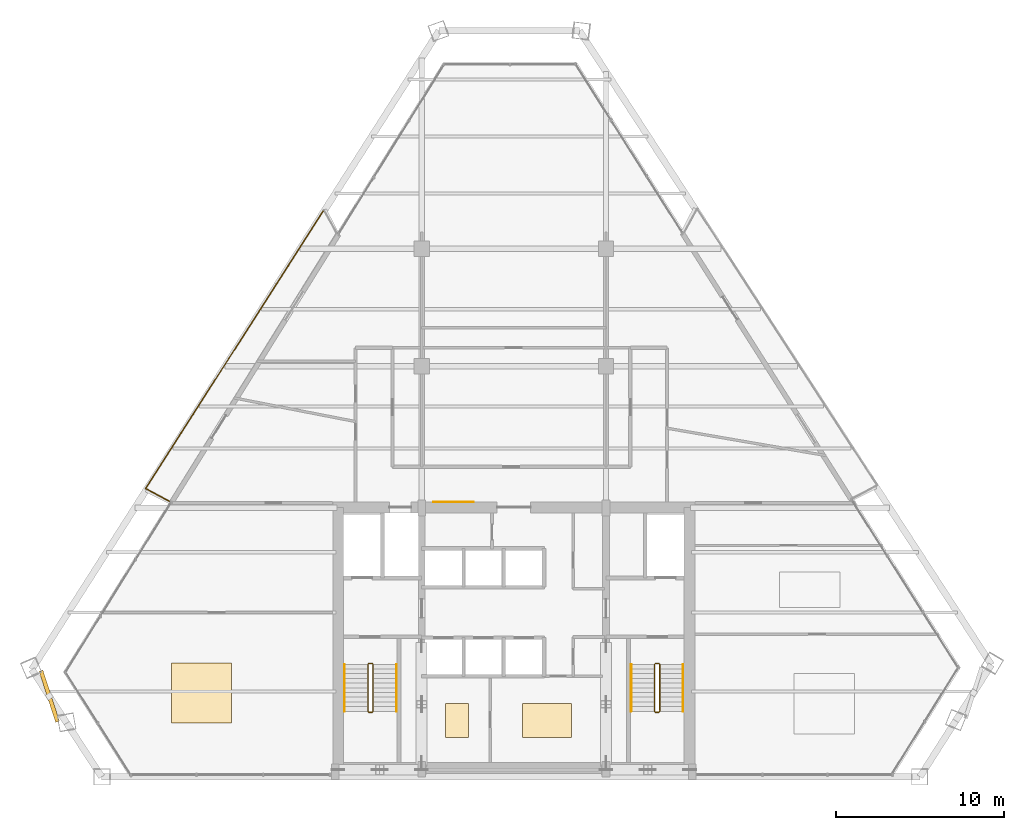
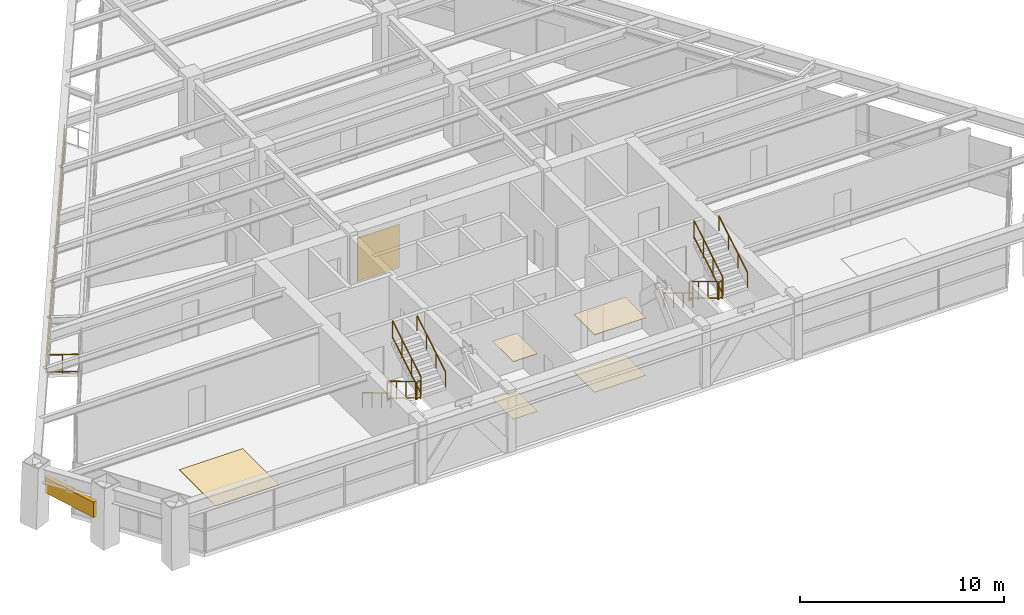
# One storey, part 14 of 15: 14 railings, 6 coverings, 1 shading device.
"""IFC4 building model written with IfcOpenShell, lengths in metres."""

from ifc_helpers import new_model, si_unit, direction, frame, origin, origin_2d, place, context, subcontext, project, spatial, rectangle, extrude, source, transform, mapped, material, layer, layer_set, type_object, type_shapes, element, save


model = new_model("IFC4")

# Units and contexts
model_context = context("Model", 3, precision=1e-05, world=origin(), true_north=direction((0.0, 1.0)))
body_context = subcontext(model_context, "Body", "Model", "MODEL_VIEW")
ifc_project = project(units=[si_unit("LENGTHUNIT", "METRE"), si_unit("AREAUNIT", "SQUARE_METRE"), si_unit("VOLUMEUNIT", "CUBIC_METRE"), si_unit("PLANEANGLEUNIT", "RADIAN"), si_unit("MASSUNIT", "GRAM", prefix="KILO")], contexts=[model_context])

# Site, building, storey
site_placement = place(None, origin())
site = spatial("IfcSite", under=ifc_project, at=site_placement, CompositionType="ELEMENT")
building_placement = place(site_placement, origin())
building = spatial("IfcBuilding", under=site, at=building_placement, Name="Varnakhor Terracotta Tower", CompositionType="ELEMENT")
storey_placement = place(building_placement, frame((0.0, 0.0, 182.10009765625)))
storey = spatial("IfcBuildingStorey", under=building, at=storey_placement, Name="L46", CompositionType="ELEMENT", Elevation=182.10009765625)

# Railings
ifc_material_1 = material(Name="Stainless Steel & Laminated Glass Guardrail", Category="steel")
railing_type_1 = type_object("IfcRailingType", Name="RLG-LOGGIA-GUARD-1150", PredefinedType="GUARDRAIL", material=ifc_material_1)
railing_1_placement = place(storey_placement, frame((-20.54150390625, 16.435791015625, 0.0)))
element("IfcRailing", 1, at=railing_1_placement, inside=storey, type_object=railing_type_1, Name="L46 W Loggia Glass Guard 1", PredefinedType="GUARDRAIL", context=body_context, shape_type="SweptSolid", body=[
    extrude(rectangle(XDim=0.048095703125, YDim=0.048095703125, at=origin_2d()), frame((0.0, 0.0, 1.1259765625), z_axis=(-0.879972177521, 0.47502522753, 0.0), x_axis=(-0.47502522753, -0.879972177521, 0.0)), (0.0, 0.0, 1.0), 1.619873046875),
    extrude(rectangle(XDim=0.048095703125, YDim=0.048095703125, at=origin_2d()), frame((0.0, 0.0, 0.10009765625), z_axis=(-0.879972177521, 0.47502522753, 0.0), x_axis=(-0.47502522753, -0.879972177521, 0.0)), (0.0, 0.0, 1.0), 1.619873046875),
    extrude(rectangle(XDim=0.0419921875, YDim=0.0419921875, at=origin_2d()), origin(), (0.0, 0.0, 1.0), 1.101806640625),
    extrude(rectangle(XDim=0.0419921875, YDim=0.0419921875, at=origin_2d()), frame((-0.712890625, 0.384765625, 0.0)), (0.0, 0.0, 1.0), 1.101806640625),
    extrude(rectangle(XDim=0.0419921875, YDim=0.0419921875, at=origin_2d()), frame((-1.425537109375, 0.76953125, 0.0)), (0.0, 0.0, 1.0), 1.101806640625),
])
railing_2_placement = place(storey_placement, frame((-21.967041015625, 17.205322265625, 0.0)))
element("IfcRailing", 2, at=railing_2_placement, inside=storey, type_object=railing_type_1, Name="L46 W Loggia Glass Guard 2", PredefinedType="GUARDRAIL", context=body_context, shape_type="SweptSolid", body=[
    extrude(rectangle(XDim=0.048095703125, YDim=0.048095703125, at=origin_2d()), frame((0.0, 0.0, 1.1259765625), z_axis=(0.539015755565, 0.842295681606, 0.0), x_axis=(-0.842295681606, 0.539015755565, 0.0)), (0.0, 0.0, 1.0), 19.720947265625),
    extrude(rectangle(XDim=0.048095703125, YDim=0.048095703125, at=origin_2d()), frame((0.0, 0.0, 0.10009765625), z_axis=(0.539015755565, 0.842295681606, 0.0), x_axis=(-0.842295681606, 0.539015755565, 0.0)), (0.0, 0.0, 1.0), 19.720947265625),
    extrude(rectangle(XDim=0.0419921875, YDim=0.0419921875, at=origin_2d()), origin(), (0.0, 0.0, 1.0), 1.101806640625),
    extrude(rectangle(XDim=0.0419921875, YDim=0.0419921875, at=origin_2d()), frame((0.708740234375, 1.107421875, 0.0)), (0.0, 0.0, 1.0), 1.101806640625),
    extrude(rectangle(XDim=0.0419921875, YDim=0.0419921875, at=origin_2d()), frame((1.417236328125, 2.21484375, 0.0)), (0.0, 0.0, 1.0), 1.101806640625),
    extrude(rectangle(XDim=0.0419921875, YDim=0.0419921875, at=origin_2d()), frame((2.1259765625, 3.322265625, 0.0)), (0.0, 0.0, 1.0), 1.101806640625),
    extrude(rectangle(XDim=0.0419921875, YDim=0.0419921875, at=origin_2d()), frame((2.834716796875, 4.429443359375, 0.0)), (0.0, 0.0, 1.0), 1.101806640625),
    extrude(rectangle(XDim=0.0419921875, YDim=0.0419921875, at=origin_2d()), frame((3.543212890625, 5.536865234375, 0.0)), (0.0, 0.0, 1.0), 1.101806640625),
    extrude(rectangle(XDim=0.0419921875, YDim=0.0419921875, at=origin_2d()), frame((4.251953125, 6.644287109375, 0.0)), (0.0, 0.0, 1.0), 1.101806640625),
    extrude(rectangle(XDim=0.0419921875, YDim=0.0419921875, at=origin_2d()), frame((4.960693359375, 7.751708984375, 0.0)), (0.0, 0.0, 1.0), 1.101806640625),
    extrude(rectangle(XDim=0.0419921875, YDim=0.0419921875, at=origin_2d()), frame((5.669189453125, 8.859130859375, 0.0)), (0.0, 0.0, 1.0), 1.101806640625),
    extrude(rectangle(XDim=0.0419921875, YDim=0.0419921875, at=origin_2d()), frame((6.3779296875, 9.966552734375, 0.0)), (0.0, 0.0, 1.0), 1.101806640625),
    extrude(rectangle(XDim=0.0419921875, YDim=0.0419921875, at=origin_2d()), frame((7.086669921875, 11.073974609375, 0.0)), (0.0, 0.0, 1.0), 1.101806640625),
    extrude(rectangle(XDim=0.0419921875, YDim=0.0419921875, at=origin_2d()), frame((7.795166015625, 12.181396484375, 0.0)), (0.0, 0.0, 1.0), 1.101806640625),
    extrude(rectangle(XDim=0.0419921875, YDim=0.0419921875, at=origin_2d()), frame((8.50390625, 13.28857421875, 0.0)), (0.0, 0.0, 1.0), 1.101806640625),
    extrude(rectangle(XDim=0.0419921875, YDim=0.0419921875, at=origin_2d()), frame((9.212646484375, 14.39599609375, 0.0)), (0.0, 0.0, 1.0), 1.101806640625),
    extrude(rectangle(XDim=0.0419921875, YDim=0.0419921875, at=origin_2d()), frame((9.921142578125, 15.50341796875, 0.0)), (0.0, 0.0, 1.0), 1.101806640625),
    extrude(rectangle(XDim=0.0419921875, YDim=0.0419921875, at=origin_2d()), frame((10.6298828125, 16.61083984375, 0.0)), (0.0, 0.0, 1.0), 1.101806640625),
])
ifc_material_2 = material(Name="Painted Steel Stairwell Guardrail", Category="steel")
railing_type_2 = type_object("IfcRailingType", Name="RLG-STAIR-GUARD-1120", PredefinedType="GUARDRAIL", material=ifc_material_2)
railing_3_placement = place(storey_placement, frame((-8.699951171875, 6.7099609375, 0.16796875)))
element("IfcRailing", 3, at=railing_3_placement, inside=storey, type_object=railing_type_2, Name="L46 ST-1 stair guard 1", PredefinedType="GUARDRAIL", context=body_context, shape_type="SweptSolid", body=[
    extrude(rectangle(XDim=0.048095703125, YDim=0.048095703125, at=origin_2d()), frame((0.0, 0.0, 1.09619140625), z_axis=(0.0, -0.857242210791, 0.514913383045), x_axis=(1.0, 0.0, 0.0)), (0.0, 0.0, 1.0), 3.266357421875),
    extrude(rectangle(XDim=0.048095703125, YDim=0.048095703125, at=origin_2d()), frame((0.0, 0.0, 0.10009765625), z_axis=(0.0, -0.857242210791, 0.514913383045), x_axis=(1.0, 0.0, 0.0)), (0.0, 0.0, 1.0), 3.266357421875),
    extrude(rectangle(XDim=0.0419921875, YDim=0.0419921875, at=origin_2d()), origin(), (0.0, 0.0, 1.0), 1.072021484375),
    extrude(rectangle(XDim=0.0419921875, YDim=0.0419921875, at=origin_2d()), frame((0.0, -0.933349609375, 0.560546875)), (0.0, 0.0, 1.0), 1.072021484375),
    extrude(rectangle(XDim=0.0419921875, YDim=0.0419921875, at=origin_2d()), frame((0.0, -1.86669921875, 1.121337890625)), (0.0, 0.0, 1.0), 1.072021484375),
    extrude(rectangle(XDim=0.0419921875, YDim=0.0419921875, at=origin_2d()), frame((0.0, -2.800048828125, 1.681884765625)), (0.0, 0.0, 1.0), 1.072021484375),
])
railing_4_placement = place(storey_placement, frame((-8.64990234375, 3.860107421875, 1.849853515625)))
element("IfcRailing", 4, at=railing_4_placement, inside=storey, type_object=railing_type_2, Name="L46 ST-1 stair guard 2", PredefinedType="GUARDRAIL", context=body_context, shape_type="SweptSolid", body=[
    extrude(rectangle(XDim=0.048095703125, YDim=0.048095703125, at=origin_2d()), frame((0.0, 0.0, 1.09619140625), z_axis=(1.0, 0.0, 0.0), x_axis=(0.0, 1.0, 0.0)), (0.0, 0.0, 1.0), 0.199951171875),
    extrude(rectangle(XDim=0.048095703125, YDim=0.048095703125, at=origin_2d()), frame((0.0, 0.0, 0.10009765625), z_axis=(1.0, 0.0, 0.0), x_axis=(0.0, 1.0, 0.0)), (0.0, 0.0, 1.0), 0.199951171875),
    extrude(rectangle(XDim=0.0419921875, YDim=0.0419921875, at=origin_2d()), origin(), (0.0, 0.0, 1.0), 1.072021484375),
    extrude(rectangle(XDim=0.0419921875, YDim=0.0419921875, at=origin_2d()), frame((0.199951171875, 0.0, 0.0)), (0.0, 0.0, 1.0), 1.072021484375),
])
railing_5_placement = place(storey_placement, frame((-8.39990234375, 3.909912109375, 2.01806640625)))
element("IfcRailing", 5, at=railing_5_placement, inside=storey, type_object=railing_type_2, Name="L46 ST-1 stair guard 3", PredefinedType="GUARDRAIL", context=body_context, shape_type="SweptSolid", body=[
    extrude(rectangle(XDim=0.048095703125, YDim=0.048095703125, at=origin_2d()), frame((0.0, 0.0, 1.09619140625), z_axis=(0.0, 0.857242210791, 0.514913383045), x_axis=(-1.0, 0.0, 0.0)), (0.0, 0.0, 1.0), 3.266357421875),
    extrude(rectangle(XDim=0.048095703125, YDim=0.048095703125, at=origin_2d()), frame((0.0, 0.0, 0.10009765625), z_axis=(0.0, 0.857242210791, 0.514913383045), x_axis=(-1.0, 0.0, 0.0)), (0.0, 0.0, 1.0), 3.266357421875),
    extrude(rectangle(XDim=0.0419921875, YDim=0.0419921875, at=origin_2d()), origin(), (0.0, 0.0, 1.0), 1.072021484375),
    extrude(rectangle(XDim=0.0419921875, YDim=0.0419921875, at=origin_2d()), frame((0.0, 0.933349609375, 0.560546875)), (0.0, 0.0, 1.0), 1.072021484375),
    extrude(rectangle(XDim=0.0419921875, YDim=0.0419921875, at=origin_2d()), frame((0.0, 1.86669921875, 1.121337890625)), (0.0, 0.0, 1.0), 1.072021484375),
    extrude(rectangle(XDim=0.0419921875, YDim=0.0419921875, at=origin_2d()), frame((0.0, 2.800048828125, 1.681884765625)), (0.0, 0.0, 1.0), 1.072021484375),
])
railing_6_placement = place(storey_placement, frame((-8.64990234375, 6.760009765625, 0.0)))
element("IfcRailing", 6, at=railing_6_placement, inside=storey, type_object=railing_type_2, Name="L46 ST-1 stair guard 4", PredefinedType="GUARDRAIL", context=body_context, shape_type="SweptSolid", body=[
    extrude(rectangle(XDim=0.048095703125, YDim=0.048095703125, at=origin_2d()), frame((0.0, 0.0, 1.09619140625), z_axis=(1.0, 0.0, 0.0), x_axis=(0.0, 1.0, 0.0)), (0.0, 0.0, 1.0), 0.199951171875),
    extrude(rectangle(XDim=0.048095703125, YDim=0.048095703125, at=origin_2d()), frame((0.0, 0.0, 0.10009765625), z_axis=(1.0, 0.0, 0.0), x_axis=(0.0, 1.0, 0.0)), (0.0, 0.0, 1.0), 0.199951171875),
    extrude(rectangle(XDim=0.0419921875, YDim=0.0419921875, at=origin_2d()), origin(), (0.0, 0.0, 1.0), 1.072021484375),
    extrude(rectangle(XDim=0.0419921875, YDim=0.0419921875, at=origin_2d()), frame((0.199951171875, 0.0, 0.0)), (0.0, 0.0, 1.0), 1.072021484375),
])
railing_7_placement = place(storey_placement, frame((8.39990234375, 6.7099609375, 0.16796875)))
element("IfcRailing", 7, at=railing_7_placement, inside=storey, type_object=railing_type_2, Name="L46 ST-2 stair guard 1", PredefinedType="GUARDRAIL", context=body_context, shape_type="SweptSolid", body=[
    extrude(rectangle(XDim=0.048095703125, YDim=0.048095703125, at=origin_2d()), frame((0.0, 0.0, 1.09619140625), z_axis=(0.0, -0.857242210791, 0.514913383045), x_axis=(1.0, 0.0, 0.0)), (0.0, 0.0, 1.0), 3.266357421875),
    extrude(rectangle(XDim=0.048095703125, YDim=0.048095703125, at=origin_2d()), frame((0.0, 0.0, 0.10009765625), z_axis=(0.0, -0.857242210791, 0.514913383045), x_axis=(1.0, 0.0, 0.0)), (0.0, 0.0, 1.0), 3.266357421875),
    extrude(rectangle(XDim=0.0419921875, YDim=0.0419921875, at=origin_2d()), origin(), (0.0, 0.0, 1.0), 1.072021484375),
    extrude(rectangle(XDim=0.0419921875, YDim=0.0419921875, at=origin_2d()), frame((0.0, -0.933349609375, 0.560546875)), (0.0, 0.0, 1.0), 1.072021484375),
    extrude(rectangle(XDim=0.0419921875, YDim=0.0419921875, at=origin_2d()), frame((0.0, -1.86669921875, 1.121337890625)), (0.0, 0.0, 1.0), 1.072021484375),
    extrude(rectangle(XDim=0.0419921875, YDim=0.0419921875, at=origin_2d()), frame((0.0, -2.800048828125, 1.681884765625)), (0.0, 0.0, 1.0), 1.072021484375),
])
railing_8_placement = place(storey_placement, frame((8.449951171875, 3.860107421875, 1.849853515625)))
element("IfcRailing", 8, at=railing_8_placement, inside=storey, type_object=railing_type_2, Name="L46 ST-2 stair guard 2", PredefinedType="GUARDRAIL", context=body_context, shape_type="SweptSolid", body=[
    extrude(rectangle(XDim=0.048095703125, YDim=0.048095703125, at=origin_2d()), frame((0.0, 0.0, 1.09619140625), z_axis=(1.0, 0.0, 0.0), x_axis=(0.0, 1.0, 0.0)), (0.0, 0.0, 1.0), 0.199951171875),
    extrude(rectangle(XDim=0.048095703125, YDim=0.048095703125, at=origin_2d()), frame((0.0, 0.0, 0.10009765625), z_axis=(1.0, 0.0, 0.0), x_axis=(0.0, 1.0, 0.0)), (0.0, 0.0, 1.0), 0.199951171875),
    extrude(rectangle(XDim=0.0419921875, YDim=0.0419921875, at=origin_2d()), origin(), (0.0, 0.0, 1.0), 1.072021484375),
    extrude(rectangle(XDim=0.0419921875, YDim=0.0419921875, at=origin_2d()), frame((0.199951171875, 0.0, 0.0)), (0.0, 0.0, 1.0), 1.072021484375),
])
railing_9_placement = place(storey_placement, frame((8.699951171875, 3.909912109375, 2.01806640625)))
element("IfcRailing", 9, at=railing_9_placement, inside=storey, type_object=railing_type_2, Name="L46 ST-2 stair guard 3", PredefinedType="GUARDRAIL", context=body_context, shape_type="SweptSolid", body=[
    extrude(rectangle(XDim=0.048095703125, YDim=0.048095703125, at=origin_2d()), frame((0.0, 0.0, 1.09619140625), z_axis=(0.0, 0.857242210791, 0.514913383045), x_axis=(-1.0, 0.0, 0.0)), (0.0, 0.0, 1.0), 3.266357421875),
    extrude(rectangle(XDim=0.048095703125, YDim=0.048095703125, at=origin_2d()), frame((0.0, 0.0, 0.10009765625), z_axis=(0.0, 0.857242210791, 0.514913383045), x_axis=(-1.0, 0.0, 0.0)), (0.0, 0.0, 1.0), 3.266357421875),
    extrude(rectangle(XDim=0.0419921875, YDim=0.0419921875, at=origin_2d()), origin(), (0.0, 0.0, 1.0), 1.072021484375),
    extrude(rectangle(XDim=0.0419921875, YDim=0.0419921875, at=origin_2d()), frame((0.0, 0.933349609375, 0.560546875)), (0.0, 0.0, 1.0), 1.072021484375),
    extrude(rectangle(XDim=0.0419921875, YDim=0.0419921875, at=origin_2d()), frame((0.0, 1.86669921875, 1.121337890625)), (0.0, 0.0, 1.0), 1.072021484375),
    extrude(rectangle(XDim=0.0419921875, YDim=0.0419921875, at=origin_2d()), frame((0.0, 2.800048828125, 1.681884765625)), (0.0, 0.0, 1.0), 1.072021484375),
])
railing_10_placement = place(storey_placement, frame((8.449951171875, 6.760009765625, 0.0)))
element("IfcRailing", 10, at=railing_10_placement, inside=storey, type_object=railing_type_2, Name="L46 ST-2 stair guard 4", PredefinedType="GUARDRAIL", context=body_context, shape_type="SweptSolid", body=[
    extrude(rectangle(XDim=0.048095703125, YDim=0.048095703125, at=origin_2d()), frame((0.0, 0.0, 1.09619140625), z_axis=(1.0, 0.0, 0.0), x_axis=(0.0, 1.0, 0.0)), (0.0, 0.0, 1.0), 0.199951171875),
    extrude(rectangle(XDim=0.048095703125, YDim=0.048095703125, at=origin_2d()), frame((0.0, 0.0, 0.10009765625), z_axis=(1.0, 0.0, 0.0), x_axis=(0.0, 1.0, 0.0)), (0.0, 0.0, 1.0), 0.199951171875),
    extrude(rectangle(XDim=0.0419921875, YDim=0.0419921875, at=origin_2d()), origin(), (0.0, 0.0, 1.0), 1.072021484375),
    extrude(rectangle(XDim=0.0419921875, YDim=0.0419921875, at=origin_2d()), frame((0.199951171875, 0.0, 0.0)), (0.0, 0.0, 1.0), 1.072021484375),
])
ifc_material_3 = material(Name="Brushed Stainless Steel Handrail", Category="steel")
railing_type_3 = type_object("IfcRailingType", Name="RLG-STAIR-HANDRAIL-920", PredefinedType="HANDRAIL", material=ifc_material_3)
railing_11_placement = place(storey_placement, frame((-10.10009765625, 6.7099609375, 0.16796875)))
element("IfcRailing", 11, at=railing_11_placement, inside=storey, type_object=railing_type_3, Name="L46 ST-1 stair handrail 1", PredefinedType="HANDRAIL", context=body_context, shape_type="SweptSolid", body=[
    extrude(rectangle(XDim=0.048095703125, YDim=0.048095703125, at=origin_2d()), frame((0.0, 0.0, 0.89599609375), z_axis=(0.0, -0.857242210791, 0.514913383045), x_axis=(1.0, 0.0, 0.0)), (0.0, 0.0, 1.0), 3.266357421875),
    extrude(rectangle(XDim=0.0419921875, YDim=0.0419921875, at=origin_2d()), origin(), (0.0, 0.0, 1.0), 0.871826171875),
    extrude(rectangle(XDim=0.0419921875, YDim=0.0419921875, at=origin_2d()), frame((0.0, -0.933349609375, 0.560546875)), (0.0, 0.0, 1.0), 0.871826171875),
    extrude(rectangle(XDim=0.0419921875, YDim=0.0419921875, at=origin_2d()), frame((0.0, -1.86669921875, 1.121337890625)), (0.0, 0.0, 1.0), 0.871826171875),
    extrude(rectangle(XDim=0.0419921875, YDim=0.0419921875, at=origin_2d()), frame((0.0, -2.800048828125, 1.681884765625)), (0.0, 0.0, 1.0), 0.871826171875),
])
railing_12_placement = place(storey_placement, frame((-7.0, 3.909912109375, 2.01806640625)))
element("IfcRailing", 12, at=railing_12_placement, inside=storey, type_object=railing_type_3, Name="L46 ST-1 stair handrail 2", PredefinedType="HANDRAIL", context=body_context, shape_type="SweptSolid", body=[
    extrude(rectangle(XDim=0.048095703125, YDim=0.048095703125, at=origin_2d()), frame((0.0, 0.0, 0.89599609375), z_axis=(0.0, 0.857242210791, 0.514913383045), x_axis=(-1.0, 0.0, 0.0)), (0.0, 0.0, 1.0), 3.266357421875),
    extrude(rectangle(XDim=0.0419921875, YDim=0.0419921875, at=origin_2d()), origin(), (0.0, 0.0, 1.0), 0.871826171875),
    extrude(rectangle(XDim=0.0419921875, YDim=0.0419921875, at=origin_2d()), frame((0.0, 0.933349609375, 0.560546875)), (0.0, 0.0, 1.0), 0.871826171875),
    extrude(rectangle(XDim=0.0419921875, YDim=0.0419921875, at=origin_2d()), frame((0.0, 1.86669921875, 1.121337890625)), (0.0, 0.0, 1.0), 0.871826171875),
    extrude(rectangle(XDim=0.0419921875, YDim=0.0419921875, at=origin_2d()), frame((0.0, 2.800048828125, 1.681884765625)), (0.0, 0.0, 1.0), 0.871826171875),
])
railing_13_placement = place(storey_placement, frame((7.0, 6.7099609375, 0.16796875)))
element("IfcRailing", 13, at=railing_13_placement, inside=storey, type_object=railing_type_3, Name="L46 ST-2 stair handrail 1", PredefinedType="HANDRAIL", context=body_context, shape_type="SweptSolid", body=[
    extrude(rectangle(XDim=0.048095703125, YDim=0.048095703125, at=origin_2d()), frame((0.0, 0.0, 0.89599609375), z_axis=(0.0, -0.857242210791, 0.514913383045), x_axis=(1.0, 0.0, 0.0)), (0.0, 0.0, 1.0), 3.266357421875),
    extrude(rectangle(XDim=0.0419921875, YDim=0.0419921875, at=origin_2d()), origin(), (0.0, 0.0, 1.0), 0.871826171875),
    extrude(rectangle(XDim=0.0419921875, YDim=0.0419921875, at=origin_2d()), frame((0.0, -0.933349609375, 0.560546875)), (0.0, 0.0, 1.0), 0.871826171875),
    extrude(rectangle(XDim=0.0419921875, YDim=0.0419921875, at=origin_2d()), frame((0.0, -1.86669921875, 1.121337890625)), (0.0, 0.0, 1.0), 0.871826171875),
    extrude(rectangle(XDim=0.0419921875, YDim=0.0419921875, at=origin_2d()), frame((0.0, -2.800048828125, 1.681884765625)), (0.0, 0.0, 1.0), 0.871826171875),
])
railing_14_placement = place(storey_placement, frame((10.10009765625, 3.909912109375, 2.01806640625)))
element("IfcRailing", 14, at=railing_14_placement, inside=storey, type_object=railing_type_3, Name="L46 ST-2 stair handrail 2", PredefinedType="HANDRAIL", context=body_context, shape_type="SweptSolid", body=[
    extrude(rectangle(XDim=0.048095703125, YDim=0.048095703125, at=origin_2d()), frame((0.0, 0.0, 0.89599609375), z_axis=(0.0, 0.857242210791, 0.514913383045), x_axis=(-1.0, 0.0, 0.0)), (0.0, 0.0, 1.0), 3.266357421875),
    extrude(rectangle(XDim=0.0419921875, YDim=0.0419921875, at=origin_2d()), origin(), (0.0, 0.0, 1.0), 0.871826171875),
    extrude(rectangle(XDim=0.0419921875, YDim=0.0419921875, at=origin_2d()), frame((0.0, 0.933349609375, 0.560546875)), (0.0, 0.0, 1.0), 0.871826171875),
    extrude(rectangle(XDim=0.0419921875, YDim=0.0419921875, at=origin_2d()), frame((0.0, 1.86669921875, 1.121337890625)), (0.0, 0.0, 1.0), 0.871826171875),
    extrude(rectangle(XDim=0.0419921875, YDim=0.0419921875, at=origin_2d()), frame((0.0, 2.800048828125, 1.681884765625)), (0.0, 0.0, 1.0), 0.871826171875),
])

# Shading device
ifc_material_4 = material(Name="Extruded Architectural Terracotta Screen", Category="masonry")
shading_device_type = type_object("IfcShadingDeviceType", Name="TERRACOTTA SOLAR SCREEN W", PredefinedType="USERDEFINED", material=ifc_material_4)
shared_shape_1 = source(origin(), body_context, "Body", "SweptSolid", [
    extrude(rectangle(XDim=3.199951171875, YDim=0.239990234375, at=origin_2d()), origin(), (0.0, 0.0, 1.0), 0.919921875),
])
type_shapes(shading_device_type, [shared_shape_1])
shading_device_placement = place(storey_placement, frame((-27.718994140625, 4.806396484375, 1.7099609375), z_axis=(0.0, 0.0, 1.0), x_axis=(0.309315762337, -0.950959388812, 0.0)))
element("IfcShadingDevice", 15, at=shading_device_placement, inside=storey, type_object=shading_device_type, Name="L46 W Terracotta Solar Screen", ObjectType="SCREEN", PredefinedType="USERDEFINED", context=body_context, shape_type="MappedRepresentation", body=[
    mapped(shared_shape_1, transform((0.0, 0.0, 0.0), scale=1.0)),
])

# Coverings
ifc_material_5 = material(Name="Extruded Architectural Terracotta Cladding", Category="masonry")
ifc_layer_1 = layer(ifc_material_5, 0.044921875, Name="Extruded Architectural Terracotta Cladding")
ifc_layer_set_1 = layer_set([ifc_layer_1], Name="Extruded Architectural Terracotta Cladding")
covering_type_1 = type_object("IfcCoveringType", Name="COV-CLAD-TERRACOTTA", PredefinedType="CLADDING", material=ifc_layer_set_1)
shared_shape_2 = source(origin(), body_context, "Body", "SweptSolid", [
    extrude(rectangle(XDim=2.39990234375, YDim=0.030029296875, at=origin_2d()), origin(), (0.0, 0.0, 1.0), 2.60009765625),
])
type_shapes(covering_type_1, [shared_shape_2])
covering_1_placement = place(storey_placement, frame((-3.60009765625, 16.412109375, -0.000244140625), z_axis=(0.0, 0.0, 1.0), x_axis=(1.0, 0.0, 0.0)))
element("IfcCovering", 16, at=covering_1_placement, inside=storey, type_object=covering_type_1, Name="L46 Core Lobby Limestone Cladding", PredefinedType="CLADDING", context=body_context, shape_type="MappedRepresentation", body=[
    mapped(shared_shape_2, transform((0.0, 0.0, 0.0), scale=1.0)),
])
ifc_material_6 = material(Name="Honed Riyadh Limestone Flooring", Category="masonry")
ifc_layer_2 = layer(ifc_material_6, 0.030029296875, Name="Honed Riyadh Limestone Flooring")
ifc_layer_set_2 = layer_set([ifc_layer_2], Name="Honed Riyadh Limestone Flooring")
covering_type_2 = type_object("IfcCoveringType", Name="COV-FLOOR-LIMESTONE", PredefinedType="FLOORING", material=ifc_layer_set_2)
shared_shape_3 = source(origin(), body_context, "Body", "SweptSolid", [
    extrude(rectangle(XDim=3.60009765625, YDim=3.60009765625, at=origin_2d()), origin(), (0.0, 0.0, 1.0), 0.02001953125),
])
covering_2_placement = place(storey_placement, frame((-18.631103515625, 5.001953125, 0.0), z_axis=(0.0, 0.0, 1.0), x_axis=(1.0, 0.0, 0.0)))
element("IfcCovering", 17, at=covering_2_placement, inside=storey, type_object=covering_type_2, Name="L46 Honed Stone Flooring 4", PredefinedType="FLOORING", context=body_context, shape_type="MappedRepresentation", body=[
    mapped(shared_shape_3, transform((0.0, 0.0, 0.0), scale=1.0)),
])
shared_shape_4 = source(origin(), body_context, "Body", "SweptSolid", [
    extrude(rectangle(XDim=1.375, YDim=2.041015625, at=origin_2d()), origin(), (0.0, 0.0, 1.0), 0.02001953125),
])
covering_3_placement = place(storey_placement, frame((-3.389892578125, 3.35498046875, 0.0), z_axis=(0.0, 0.0, 1.0), x_axis=(1.0, 0.0, 0.0)))
element("IfcCovering", 18, at=covering_3_placement, inside=storey, type_object=covering_type_2, Name="L46 Honed Stone Flooring 1", PredefinedType="FLOORING", context=body_context, shape_type="MappedRepresentation", body=[
    mapped(shared_shape_4, transform((0.0, 0.0, 0.0), scale=1.0)),
])
ifc_material_7 = material(Name="Perforated Acoustic Mineral-Fibre Ceiling", Category="gypsum")
ifc_layer_3 = layer(ifc_material_7, 0.02490234375, Name="Perforated Acoustic Mineral-Fibre Ceiling")
ifc_layer_set_3 = layer_set([ifc_layer_3], Name="Perforated Acoustic Mineral-Fibre Ceiling")
covering_type_3 = type_object("IfcCoveringType", Name="COV-CEILING-ACOUSTIC", PredefinedType="CEILING", material=ifc_layer_set_3)
shared_shape_5 = source(origin(), body_context, "Body", "SweptSolid", [
    extrude(rectangle(XDim=1.375, YDim=2.041015625, at=origin_2d()), origin(), (0.0, 0.0, 1.0), 0.02392578125),
])
covering_4_placement = place(storey_placement, frame((-3.389892578125, 3.35498046875, 3.446044921875), z_axis=(0.0, 0.0, 1.0), x_axis=(1.0, 0.0, 0.0)))
element("IfcCovering", 19, at=covering_4_placement, inside=storey, type_object=covering_type_3, Name="L46 Acoustic Ceiling Panel 1", PredefinedType="CEILING", context=body_context, shape_type="MappedRepresentation", body=[
    mapped(shared_shape_5, transform((0.0, 0.0, 0.0), scale=1.0)),
])
shared_shape_6 = source(origin(), body_context, "Body", "SweptSolid", [
    extrude(rectangle(XDim=2.9150390625, YDim=2.041015625, at=origin_2d()), origin(), (0.0, 0.0, 1.0), 0.02001953125),
])
covering_5_placement = place(storey_placement, frame((1.989990234375, 3.35498046875, 0.0), z_axis=(0.0, 0.0, 1.0), x_axis=(1.0, 0.0, 0.0)))
element("IfcCovering", 20, at=covering_5_placement, inside=storey, type_object=covering_type_2, Name="L46 Honed Stone Flooring 2", PredefinedType="FLOORING", context=body_context, shape_type="MappedRepresentation", body=[
    mapped(shared_shape_6, transform((0.0, 0.0, 0.0), scale=1.0)),
])
shared_shape_7 = source(origin(), body_context, "Body", "SweptSolid", [
    extrude(rectangle(XDim=2.9150390625, YDim=2.041015625, at=origin_2d()), origin(), (0.0, 0.0, 1.0), 0.02392578125),
])
covering_6_placement = place(storey_placement, frame((1.989990234375, 3.35498046875, 3.446044921875), z_axis=(0.0, 0.0, 1.0), x_axis=(1.0, 0.0, 0.0)))
element("IfcCovering", 21, at=covering_6_placement, inside=storey, type_object=covering_type_3, Name="L46 Acoustic Ceiling Panel 2", PredefinedType="CEILING", context=body_context, shape_type="MappedRepresentation", body=[
    mapped(shared_shape_7, transform((0.0, 0.0, 0.0), scale=1.0)),
])

save(model, "model.ifc")
